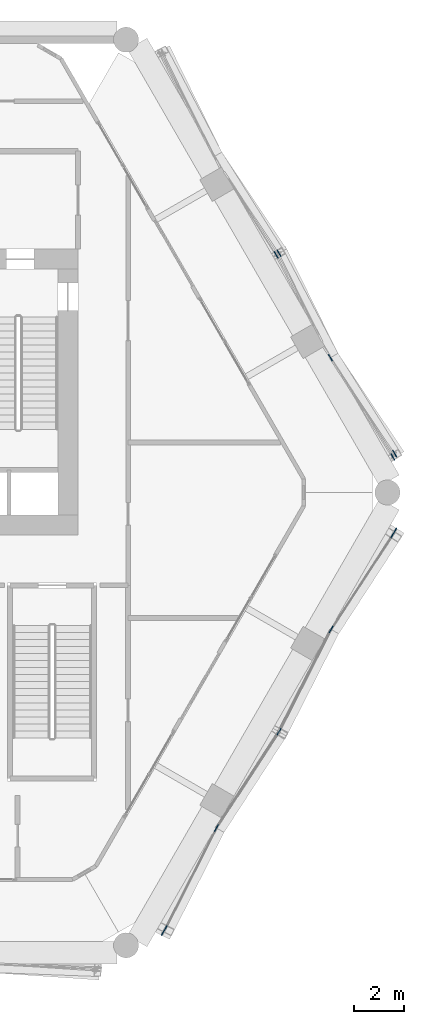
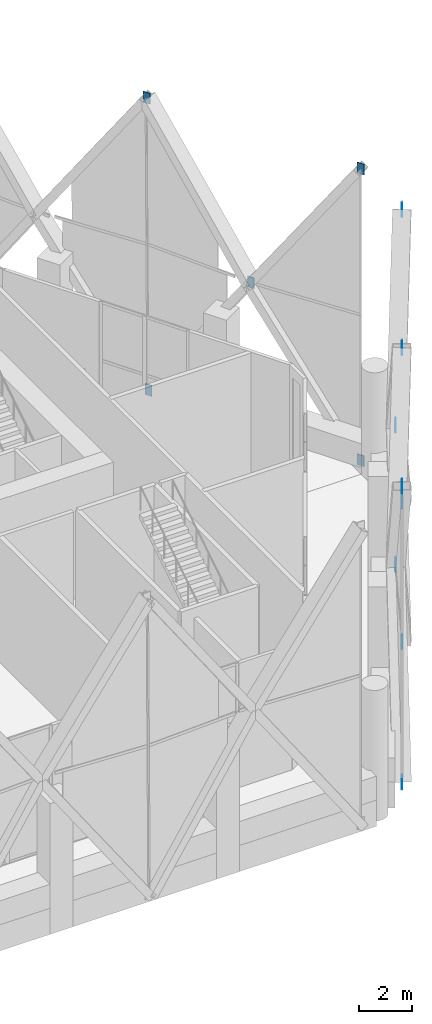
# One storey, part 41 of 43: 13 discrete accessories.
"""IFC4 building model written with IfcOpenShell, lengths in metres."""

from ifc_helpers import new_model, si_unit, direction, frame, origin, origin_2d, place, context, subcontext, project, spatial, rectangle, extrude, material, layer, layer_set, type_object, element, save


model = new_model("IFC4")

# Units and contexts
model_context = context("Model", 3, precision=1e-05, world=origin(), true_north=direction((0.0, 1.0)))
body_context = subcontext(model_context, "Body", "Model", "MODEL_VIEW")
ifc_project = project(units=[si_unit("LENGTHUNIT", "METRE"), si_unit("AREAUNIT", "SQUARE_METRE"), si_unit("VOLUMEUNIT", "CUBIC_METRE"), si_unit("PLANEANGLEUNIT", "RADIAN"), si_unit("MASSUNIT", "GRAM", prefix="KILO")], contexts=[model_context])

# Site, building, storey
site_placement = place(None, origin())
site = spatial("IfcSite", under=ifc_project, at=site_placement, CompositionType="ELEMENT")
building_placement = place(site_placement, origin())
building = spatial("IfcBuilding", under=site, at=building_placement, Name="Ostrander Bayou Hotel Tower", CompositionType="ELEMENT")
storey_placement = place(building_placement, frame((0.0, 0.0, 151.0)))
storey = spatial("IfcBuildingStorey", under=building, at=storey_placement, Name="L37", CompositionType="ELEMENT", Elevation=151.0)

# Discrete accessories
ifc_material = material(Name="Steel ASTM A572 Gr 50", Category="steel")
ifc_layer = layer(ifc_material, 0.030029296875)
ifc_layer_set = layer_set([ifc_layer], Name="GP1 gusset plate 30 mm")
discrete_accessory_type = type_object("IfcDiscreteAccessoryType", Name="GP1 gusset plate 30 mm", PredefinedType="BRACKET", material=ifc_layer_set)
for number, where, z_axis, x_axis, name in (
    (1, (14.020263671875, -13.373291015625, 5.89990234375), (0.0, 0.0, 1.0), (0.5, 0.866025403784, 0.0), "GP1 gusset plate lat 235"),
    (2, (11.90576171875, -17.5185546875, -0.85009765625), (0.0, 0.0, 1.0), (0.5, 0.866025403784, 0.0), "GP1 gusset plate lat 236"),
    (3, (11.9814453125, -17.3876953125, 12.64990234375), (0.0, 0.0, 1.0), (0.5, 0.866025403784, 0.0), "GP1 gusset plate lat 237"),
    (4, (16.51513671875, -9.534912109375, -0.85009765625), (0.0, 0.0, 1.0), (0.5, 0.866025403784, 0.0), "GP1 gusset plate lat 238"),
    (5, (16.51513671875, -9.534912109375, 12.64990234375), (0.0, 0.0, 1.0), (0.5, 0.866025403784, 0.0), "GP1 gusset plate lat 239"),
    (6, (18.591552734375, -5.455078125, 5.89990234375), (0.0, 0.0, 1.0), (0.5, 0.866025403784, 0.0), "GP1 gusset plate lat 240"),
    (7, (21.12451171875, -1.551513671875, -0.85009765625), (0.0, 0.0, 1.0), (0.5, 0.866025403784, 0.0), "GP1 gusset plate lat 241"),
    (8, (21.048828125, -1.682373046875, 12.64990234375), (0.0, 0.0, 1.0), (0.5, 0.866025403784, 0.0), "GP1 gusset plate lat 242"),
    (9, (18.563232421875, 5.373291015625, 5.89990234375), (0.0, 0.0, 1.0), (-0.5, 0.866025403784, 0.0), "GP1 gusset plate lat 243"),
    (10, (21.12451171875, 1.551513671875, -0.85009765625), (0.0, 0.0, 1.0), (-0.5, 0.866025403784, 0.0), "GP1 gusset plate lat 244"),
    (11, (21.048828125, 1.420654296875, 12.64990234375), (0.0, 0.0, 1.0), (-0.5, 0.866025403784, 0.0), "GP1 gusset plate lat 245"),
    (12, (16.51513671875, 9.534912109375, -0.85009765625), (0.0, 0.0, 1.0), (-0.5, 0.866025403784, 0.0), "GP1 gusset plate lat 246"),
    (13, (16.401611328125, 9.469482421875, 12.64990234375), (0.0, 0.0, 1.0), (-0.5, 0.866025403784, 0.0), "GP1 gusset plate lat 247"),
):
    element("IfcDiscreteAccessory", number, at=place(storey_placement, frame(where, z_axis=z_axis, x_axis=x_axis)), inside=storey, type_object=discrete_accessory_type, Name=name, PredefinedType="BRACKET", context=body_context, shape_type="SweptSolid", body=[
        extrude(rectangle(XDim=0.300048828125, YDim=0.030029296875, at=origin_2d()), origin(), (0.0, 0.0, 1.0), 0.5),
    ])

save(model, "model.ifc")
